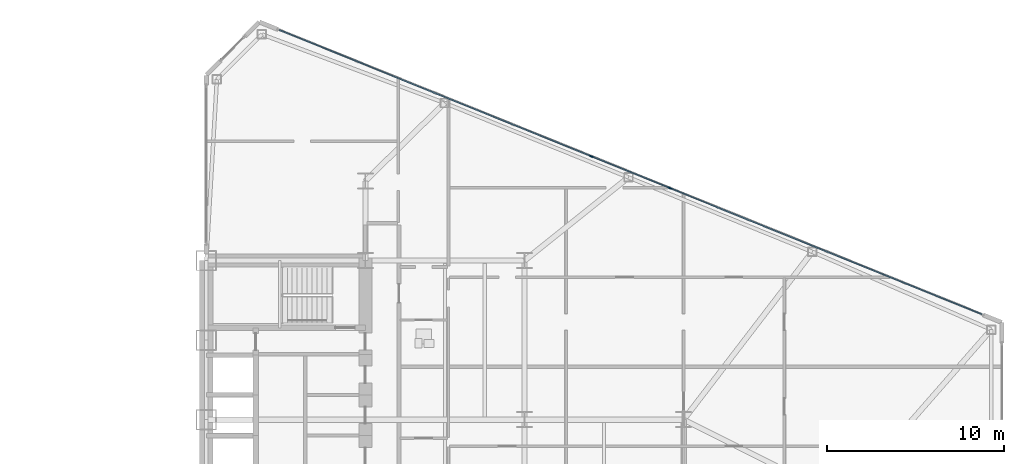
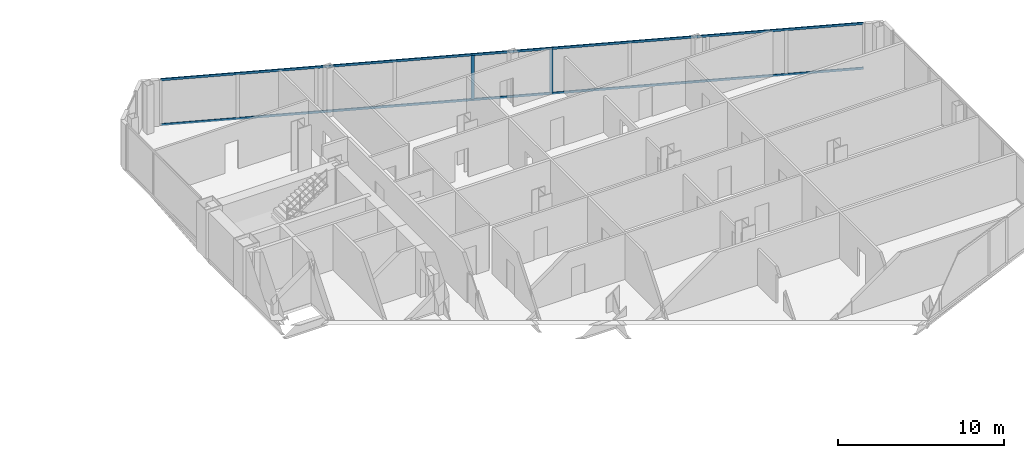
# One storey, part 12 of 25: 4 members, 1 element without a shape of its own.
"""IFC4 building model written with IfcOpenShell, lengths in metres."""

import ifcopenshell
import ifcopenshell.guid

model = None  # the IFC model being written
_history = None  # IfcOwnerHistory: only IFC2X3 demands one
_inside = {}  # id of a spatial element -> (the spatial element, [elements in it])
_under = {}  # id of a project, library or spatial element -> (it, [spatial elements below it])
_declared = {}  # id of a project -> (the project, [libraries it declares])
_typed = {}  # id of a type object -> (the type object, [elements of that type])
_made_of = {}  # id of a material, layer set ... -> (it, [elements and type objects made of it])


def new_model(schema):
    """Start an empty IFC model of exactly this schema.

    Asked for "IFC4X3", IfcOpenShell would pick the latest addendum, in which some entities
    have other attributes; the version numbers below select the first issue.
    IFC2X3 requires an IfcOwnerHistory on every rooted entity: one is made here for all.
    """
    global model, _history
    if schema == "IFC4X3":
        model = ifcopenshell.file(schema_version=(4, 3, 0, 0))
    else:
        model = ifcopenshell.file(schema=schema)
    _inside.clear()
    _under.clear()
    _declared.clear()
    _typed.clear()
    _made_of.clear()
    _history = None
    if model.schema == "IFC2X3":
        org = make("IfcOrganization", Name="unknown")
        user = make(
            "IfcPersonAndOrganization",
            ThePerson=make("IfcPerson", FamilyName="unknown"),
            TheOrganization=org,
        )
        app = make(
            "IfcApplication",
            ApplicationDeveloper=org,
            Version="unknown",
            ApplicationFullName="unknown",
            ApplicationIdentifier="unknown",
        )
        _history = make(
            "IfcOwnerHistory",
            OwningUser=user,
            OwningApplication=app,
            ChangeAction="ADDED",
            CreationDate=0,
        )
    return model


def make(cls, **values):
    """One entity of the class cls with the attributes given. An attribute that is None is left unset."""
    return model.create_entity(
        cls, **{name: value for name, value in values.items() if value is not None}
    )


def rooted(cls, **values):
    """An entity with a GlobalId (a new one), such as an element, a storey or a relation."""
    return make(cls, GlobalId=ifcopenshell.guid.new(), OwnerHistory=_history, **values)


def si_unit(unit_type, name, prefix=None):
    """IfcSIUnit, for example si_unit("LENGTHUNIT", "METRE", prefix="MILLI")."""
    return make("IfcSIUnit", UnitType=unit_type, Prefix=prefix, Name=name)


def assignment(units):
    """IfcUnitAssignment: the units of a project."""
    return None if units is None else make("IfcUnitAssignment", Units=units)


def point(xyz):
    """IfcCartesianPoint."""
    return None if xyz is None else make("IfcCartesianPoint", Coordinates=xyz)


def direction(xyz):
    """IfcDirection."""
    return None if xyz is None else make("IfcDirection", DirectionRatios=xyz)


def frame(location, z_axis=None, x_axis=None):
    """IfcAxis2Placement3D, a coordinate frame: its origin and axes. An axis left out is left unset."""
    return make(
        "IfcAxis2Placement3D",
        Location=point(location),
        Axis=direction(z_axis),
        RefDirection=direction(x_axis),
    )


def frame_2d(location, x_axis=None):
    """IfcAxis2Placement2D, a coordinate frame in the plane: its origin and x axis."""
    return make(
        "IfcAxis2Placement2D", Location=point(location), RefDirection=direction(x_axis)
    )


def origin():
    """The frame at (0, 0, 0) with its axes left unset."""
    return frame((0.0, 0.0, 0.0))


def origin_2d():
    """The frame at (0, 0) in the plane with its x axis left unset."""
    return frame_2d((0.0, 0.0))


def place(relative_to, where):
    """IfcLocalPlacement: puts the frame where relative to a parent placement (None: the world)."""
    return make(
        "IfcLocalPlacement", PlacementRelTo=relative_to, RelativePlacement=where
    )


def context(
    kind, dimensions, precision=None, world=None, true_north=None, identifier=None
):
    """IfcGeometricRepresentationContext, for example the 3D "Model" context."""
    return make(
        "IfcGeometricRepresentationContext",
        ContextIdentifier=identifier,
        ContextType=kind,
        CoordinateSpaceDimension=dimensions,
        Precision=precision,
        WorldCoordinateSystem=world,
        TrueNorth=true_north,
    )


def subcontext(parent, identifier, kind, view, scale=None):
    """IfcGeometricRepresentationSubContext, for example "Body" below "Model"."""
    return make(
        "IfcGeometricRepresentationSubContext",
        ContextIdentifier=identifier,
        ContextType=kind,
        ParentContext=parent,
        TargetScale=scale,
        TargetView=view,
    )


def project(units=None, contexts=None):
    """IfcProject with its units and contexts."""
    return rooted(
        "IfcProject",
        Name="project",
        RepresentationContexts=contexts,
        UnitsInContext=assignment(units),
    )


def spatial(cls, under=None, at=None, **own):
    """A site, building, storey or space (cls), placed at a placement, below another one or the project."""
    s = rooted(cls, ObjectPlacement=at, **own)
    if under is not None:
        _under.setdefault(under.id(), (under, []))[1].append(s)
    return s


def profile(cls, at=None, kind="AREA", **sizes):
    """A parametric profile (cls). Its sizes go by their IFC names, for example OverallWidth=200.0."""
    return make(cls, ProfileType=kind, Position=at, **sizes)


def rectangle(**sizes):
    """IfcRectangleProfileDef."""
    return profile("IfcRectangleProfileDef", **sizes)


def extrude(swept, where, along, depth):
    """IfcExtrudedAreaSolid: the profile swept, set in the frame where, extruded along a direction by depth."""
    return make(
        "IfcExtrudedAreaSolid",
        SweptArea=swept,
        Position=where,
        ExtrudedDirection=direction(along),
        Depth=depth,
    )


def shape(context_of_items, identifier, shape_type, items):
    """IfcShapeRepresentation: the items that make up one representation, for example the "Body"."""
    return make(
        "IfcShapeRepresentation",
        ContextOfItems=context_of_items,
        RepresentationIdentifier=identifier,
        RepresentationType=shape_type,
        Items=items,
    )


def source(mapping_origin, context_of_items, identifier, shape_type, items):
    """IfcRepresentationMap: a shape defined once, which mapped items show again and again."""
    return make(
        "IfcRepresentationMap",
        MappingOrigin=mapping_origin,
        MappedRepresentation=shape(context_of_items, identifier, shape_type, items),
    )


def transform(
    local_origin,
    x_axis=None,
    y_axis=None,
    z_axis=None,
    scale=None,
    scale2=None,
    scale3=None,
    uniform=True,
):
    """IfcCartesianTransformationOperator3D, or its non-uniform kind. x_axis, y_axis, z_axis: its Axis1, 2, 3."""
    if uniform:
        return make(
            "IfcCartesianTransformationOperator3D",
            Axis1=direction(x_axis),
            Axis2=direction(y_axis),
            LocalOrigin=point(local_origin),
            Scale=scale,
            Axis3=direction(z_axis),
        )
    return make(
        "IfcCartesianTransformationOperator3DnonUniform",
        Axis1=direction(x_axis),
        Axis2=direction(y_axis),
        LocalOrigin=point(local_origin),
        Scale=scale,
        Axis3=direction(z_axis),
        Scale2=scale2,
        Scale3=scale3,
    )


def mapped(mapping_source, mapping_target):
    """IfcMappedItem: shows the shape of a source again, moved by a transform."""
    return make(
        "IfcMappedItem", MappingSource=mapping_source, MappingTarget=mapping_target
    )


def material(Name=None, Category=None):
    """IfcMaterial."""
    return make("IfcMaterial", Name=Name, Category=Category)


def layer(
    of_material, thickness, ventilated=None, Name=None, Category=None, Priority=None
):
    """IfcMaterialLayer: one layer of a wall or slab, of a material (None: an air gap)."""
    return make(
        "IfcMaterialLayer",
        Material=of_material,
        LayerThickness=thickness,
        IsVentilated=ventilated,
        Name=Name,
        Category=Category,
        Priority=Priority,
    )


def layer_set(layers, Name=None):
    """IfcMaterialLayerSet."""
    return make("IfcMaterialLayerSet", MaterialLayers=layers, LayerSetName=Name)


def material_profile(
    of_material, cross_section, Name=None, Category=None, Priority=None
):
    """IfcMaterialProfile: a cross section and its material."""
    return make(
        "IfcMaterialProfile",
        Name=Name,
        Material=of_material,
        Profile=cross_section,
        Priority=Priority,
        Category=Category,
    )


def profile_set(profiles, Name=None, composite=None):
    """IfcMaterialProfileSet."""
    return make(
        "IfcMaterialProfileSet",
        Name=Name,
        MaterialProfiles=profiles,
        CompositeProfile=composite,
    )


def made_of(thing, what):
    """Note that an element or type object is made of a material, layer set ...; save() writes the relation."""
    if what is not None:
        _made_of.setdefault(what.id(), (what, []))[1].append(thing)
    return thing


def type_object(cls, material=None, **own):
    """A type object (cls), such as IfcWallType, which elements share."""
    return made_of(rooted(cls, **own), material)


def type_shapes(of_type, sources):
    """Give a type object the sources (RepresentationMaps) that its elements show as mapped items."""
    of_type.RepresentationMaps = sources


def element(
    cls,
    number,
    at=None,
    inside=None,
    cuts=None,
    type_object=None,
    material=None,
    context=None,
    identifier="Body",
    shape_type=None,
    held_by="IfcProductDefinitionShape",
    body=None,
    shapes=None,
    **own,
):
    """One element of the class cls, such as IfcWall. Its Tag is "e" and its number.

    at: its placement. inside: the storey or other place that contains it. cuts: it is an
    opening in that element (IfcRelVoidsElement). A single representation is given by context,
    identifier, shape_type and body (its items); several are given by shapes. held_by: the class
    of the entity that holds the representations. save() writes the other relations.
    """
    e = rooted(cls, Tag="e%d" % number, ObjectPlacement=at, **own)
    if body is not None:
        shapes = [shape(context, identifier, shape_type, body)]
    if shapes is not None:
        e.Representation = make(held_by, Representations=shapes)
    if inside is not None:
        _inside.setdefault(inside.id(), (inside, []))[1].append(e)
    if cuts is not None:
        rooted(
            "IfcRelVoidsElement", RelatingBuildingElement=cuts, RelatedOpeningElement=e
        )
    if type_object is not None:
        _typed.setdefault(type_object.id(), (type_object, []))[1].append(e)
    return made_of(e, material)


def aggregate(whole, parts):
    """IfcRelAggregates: a whole, such as a stair, and the parts it consists of."""
    return rooted("IfcRelAggregates", RelatingObject=whole, RelatedObjects=parts)


def save(model, path):
    """Write the relations noted so far, then the file.

    IfcRelAggregates (storeys below a building ...), IfcRelContainedInSpatialStructure (elements
    in a storey), IfcRelDefinesByType, IfcRelAssociatesMaterial and IfcRelDeclares: one each for
    every whole, place, type object, material and project.
    """
    for whole, parts in _under.values():
        aggregate(whole, parts)
    for where, things in _inside.values():
        rooted(
            "IfcRelContainedInSpatialStructure",
            RelatedElements=things,
            RelatingStructure=where,
        )
    for kind, things in _typed.values():
        rooted("IfcRelDefinesByType", RelatedObjects=things, RelatingType=kind)
    for what, things in _made_of.values():
        rooted("IfcRelAssociatesMaterial", RelatedObjects=things, RelatingMaterial=what)
    for by, libraries in _declared.values():
        rooted("IfcRelDeclares", RelatingContext=by, RelatedDefinitions=libraries)
    model.write(path)


model = new_model("IFC4")

# Units and contexts
model_context = context("Model", 3, precision=1e-05, world=origin(), true_north=direction((0.0, 1.0)))
body_context = subcontext(model_context, "Body", "Model", "MODEL_VIEW")
ifc_project = project(units=[si_unit("LENGTHUNIT", "METRE"), si_unit("AREAUNIT", "SQUARE_METRE"), si_unit("VOLUMEUNIT", "CUBIC_METRE"), si_unit("PLANEANGLEUNIT", "RADIAN"), si_unit("MASSUNIT", "GRAM", prefix="KILO")], contexts=[model_context])

# Site, building, storey
site_placement = place(None, origin())
site = spatial("IfcSite", under=ifc_project, at=site_placement, CompositionType="ELEMENT")
building_placement = place(site_placement, origin())
building = spatial("IfcBuilding", under=site, at=building_placement, Name="Seokmaru Belvedere", CompositionType="ELEMENT")
storey_placement = place(building_placement, frame((0.0, 0.0, 33.300048828125)))
storey = spatial("IfcBuildingStorey", under=building, at=storey_placement, Name="L08", CompositionType="ELEMENT", Elevation=33.300048828125)

# Curtain wall, members
ifc_material_1 = material(Name="Bronze Triple Insulating Glass", Category="glass")
ifc_layer = layer(ifc_material_1, 0.2099609375)
ifc_layer_set = layer_set([ifc_layer], Name="Bronze Triple Insulating Glass")
curtain_wall_type = type_object("IfcCurtainWallType", Name="Low-Rise Faceted Crystal Curtain Wall System CW-2", PredefinedType="NOTDEFINED", material=ifc_layer_set)
curtain_wall_placement = place(storey_placement, origin())
curtain_wall = element("IfcCurtainWall", 1, at=curtain_wall_placement, inside=storey, type_object=curtain_wall_type, Name="L08 Curtain Wall EF3", PredefinedType="NOTDEFINED")
ifc_material_2 = material(Name="Anodised Bronze Aluminium", Category="aluminium")
ifc_material_profile_1 = material_profile(ifc_material_2, rectangle(XDim=0.074951171875, YDim=0.2099609375, at=origin_2d()), Name="CW-M-75x210")
ifc_profile_set_1 = profile_set([ifc_material_profile_1], Name="Anodised Bronze Aluminium")
member_type_1 = type_object("IfcMemberType", Name="Bronze Unitised Mullion 75x210", PredefinedType="MULLION", material=ifc_profile_set_1)
shared_shape_1 = source(origin(), body_context, "Body", "SweptSolid", [
    extrude(rectangle(XDim=0.074951171875, YDim=0.2099609375, at=origin_2d()), origin(), (0.0, 0.0, 1.0), 3.239990234375),
])
type_shapes(member_type_1, [shared_shape_1])
member_1_placement = place(storey_placement, frame((53.71484375, 17.603515625, 0.070068359375), z_axis=(0.0, 0.0, 1.0), x_axis=(-0.375192321888, -0.926946989637, 0.0)))
member_1 = element("IfcMember", 2, at=member_1_placement, type_object=member_type_1, Name="CW:L08:EF3 Mullion 5", PredefinedType="MULLION", context=body_context, shape_type="MappedRepresentation", body=[
    mapped(shared_shape_1, transform((0.0, 0.0, 0.0), scale=1.0)),
])
member_2_placement = place(storey_placement, frame((49.28515625, 19.396484375, 0.070068359375), z_axis=(0.0, 0.0, 1.0), x_axis=(-0.375192321888, -0.926946989637, 0.0)))
member_2 = element("IfcMember", 3, at=member_2_placement, type_object=member_type_1, Name="CW:L08:EF3 Mullion 6", PredefinedType="MULLION", context=body_context, shape_type="MappedRepresentation", body=[
    mapped(shared_shape_1, transform((0.0, 0.0, 0.0), scale=1.0)),
])
ifc_material_profile_2 = material_profile(ifc_material_2, rectangle(XDim=0.070068359375, YDim=0.1650390625, at=origin_2d()), Name="CW-T-70x165")
ifc_profile_set_2 = profile_set([ifc_material_profile_2], Name="Anodised Bronze Aluminium")
member_type_2 = type_object("IfcMemberType", Name="Bronze Unitised Transom 70x165", PredefinedType="USERDEFINED", material=ifc_profile_set_2)
shared_shape_2 = source(origin(), body_context, "Body", "SweptSolid", [
    extrude(rectangle(XDim=0.070068359375, YDim=0.1650390625, at=origin_2d()), origin(), (0.0, 0.0, 1.0), 42.860107421875),
])
type_shapes(member_type_2, [shared_shape_2])
member_3_placement = place(storey_placement, frame((71.364501953125, 10.459716796875, 0.034912109375), z_axis=(-0.926948605599, 0.375188329481, 0.0), x_axis=(-0.375188329481, -0.926948605599, 0.0)))
member_3 = element("IfcMember", 4, at=member_3_placement, type_object=member_type_2, Name="CW:L08:EF3 Continuous Transom 1", ObjectType="TRANSOM", PredefinedType="USERDEFINED", context=body_context, shape_type="MappedRepresentation", body=[
    mapped(shared_shape_2, transform((0.0, 0.0, 0.0), scale=1.0)),
])
member_4_placement = place(storey_placement, frame((71.364501953125, 10.459716796875, 3.344970703125), z_axis=(-0.926948605599, 0.375188329481, 0.0), x_axis=(-0.375188329481, -0.926948605599, 0.0)))
member_4 = element("IfcMember", 5, at=member_4_placement, type_object=member_type_2, Name="CW:L08:EF3 Continuous Transom 2", ObjectType="TRANSOM", PredefinedType="USERDEFINED", context=body_context, shape_type="MappedRepresentation", body=[
    mapped(shared_shape_2, transform((0.0, 0.0, 0.0), scale=1.0)),
])
aggregate(curtain_wall, [member_1, member_2, member_3, member_4])

save(model, "model.ifc")
